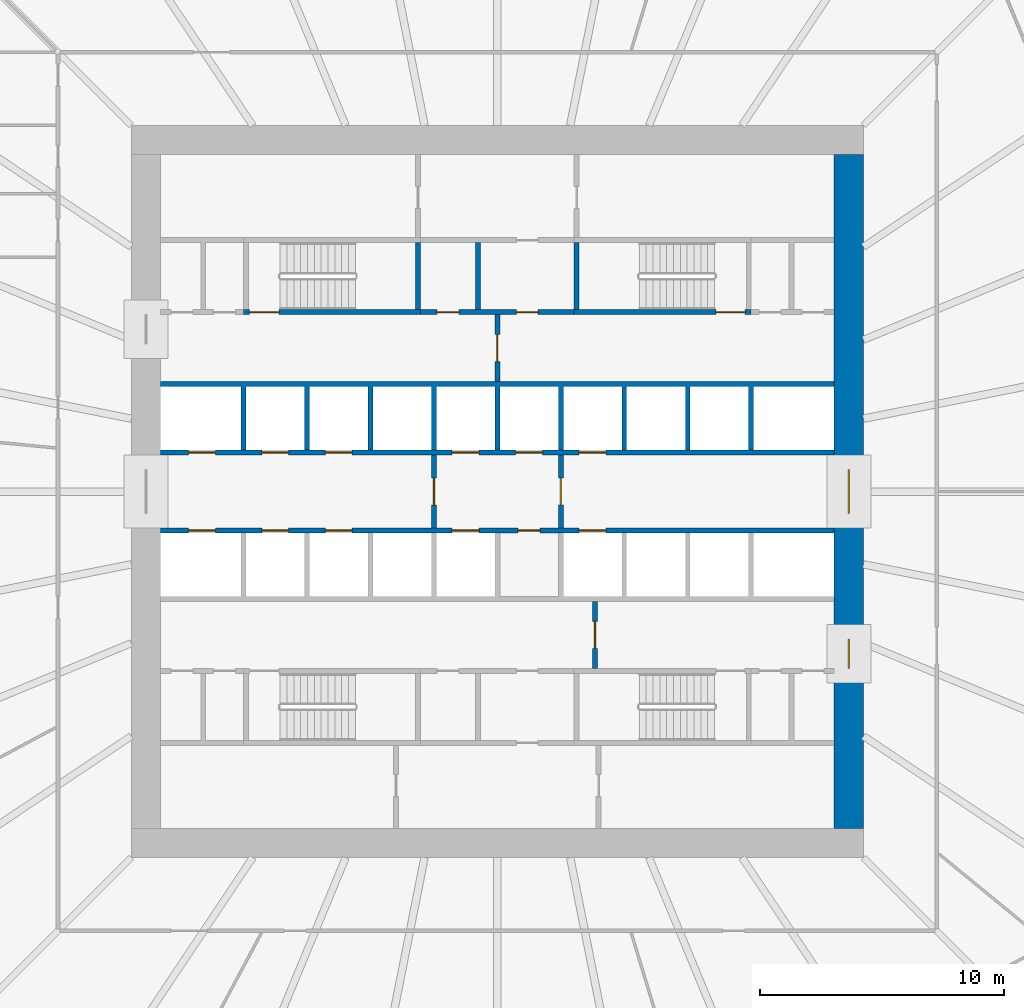
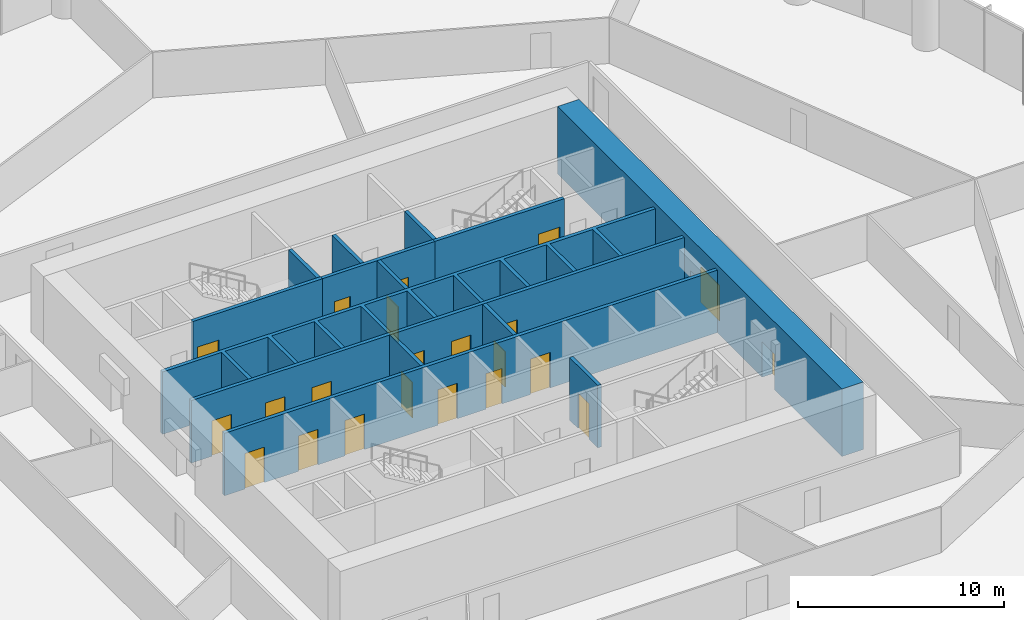
# One storey, part 11 of 15: 22 doors, 14 walls, 22 openings.
"""IFC4 building model written with IfcOpenShell, lengths in metres."""

from ifc_helpers import new_model, si_unit, direction, frame, frame_2d, origin, place, context, subcontext, project, spatial, polyline, rectangle, outline, extrude, material, layer, layer_set, type_object, element, fill, save


model = new_model("IFC4")

# Units and contexts
model_context = context("Model", 3, precision=1e-05, world=origin(), true_north=direction((0.0, 1.0)))
body_context = subcontext(model_context, "Body", "Model", "MODEL_VIEW")
ifc_project = project(units=[si_unit("LENGTHUNIT", "METRE"), si_unit("AREAUNIT", "SQUARE_METRE"), si_unit("VOLUMEUNIT", "CUBIC_METRE"), si_unit("PLANEANGLEUNIT", "RADIAN"), si_unit("MASSUNIT", "GRAM", prefix="KILO")], contexts=[model_context])

# Site, building, storey
site_placement = place(None, origin())
site = spatial("IfcSite", under=ifc_project, at=site_placement, CompositionType="ELEMENT")
building_placement = place(site_placement, origin())
building = spatial("IfcBuilding", under=site, at=building_placement, Name="Corvane Civic Tower", CompositionType="ELEMENT")
storey_placement = place(building_placement, frame((0.0, 0.0, 65.0)))
storey = spatial("IfcBuildingStorey", under=building, at=storey_placement, Name="L14", CompositionType="ELEMENT", Elevation=65.0)

# Wall, openings, doors
ifc_material_1 = material(Name="Concrete C80/95", Category="concrete")
ifc_layer_1 = layer(ifc_material_1, 1.199951171875)
ifc_layer_set_1 = layer_set([ifc_layer_1], Name="Concrete C80/95")
wall_type_1 = type_object("IfcWallType", Name="CORE WALL 1200 C80/95", PredefinedType="SHEAR", material=ifc_layer_set_1)
wall_1_placement = place(storey_placement, frame((14.39990234375, -13.800048828125, 0.0), z_axis=(0.0, 0.0, 1.0), x_axis=(0.0, 1.0, 0.0)))
wall_1 = element("IfcWall", 1, at=wall_1_placement, inside=storey, type_object=wall_type_1, Name="W-L14-core-E", PredefinedType="SHEAR", context=body_context, shape_type="SweptSolid", body=[
    extrude(rectangle(XDim=27.60009765625, YDim=1.199951171875, at=frame_2d((13.800048828125, 0.0))), origin(), (0.0, 0.0, 1.0), 4.0),
])
opening_1_placement = place(wall_1_placement, frame((12.89990234375, 0.0, 0.0)))
opening_1 = element("IfcOpeningElement", 2, at=opening_1_placement, cuts=wall_1, Name="Opening L14.C29", PredefinedType="OPENING", context=body_context, shape_type="SweptSolid", body=[
    extrude(rectangle(XDim=1.800048828125, YDim=2.10009765625, at=frame_2d((0.89990234375, 1.050048828125))), frame((0.0, 0.60986328125, 0.0), z_axis=(0.0, -1.0, 0.0), x_axis=(1.0, 0.0, 0.0)), (0.0, 0.0, 1.0), 1.219970703125),
])
opening_2_placement = place(wall_1_placement, frame((6.550048828125, 0.0, 0.0)))
opening_2 = element("IfcOpeningElement", 3, at=opening_2_placement, cuts=wall_1, Name="Opening L14.C31", PredefinedType="OPENING", context=body_context, shape_type="SweptSolid", body=[
    extrude(rectangle(XDim=1.199951171875, YDim=2.10009765625, at=frame_2d((0.60009765625, 1.050048828125))), frame((0.0, 0.60986328125, 0.0), z_axis=(0.0, -1.0, 0.0), x_axis=(1.0, 0.0, 0.0)), (0.0, 0.0, 1.0), 1.219970703125),
])
ifc_material_2 = material(Name="Steel fire door leaf", Category="steel")
door_type_1 = type_object("IfcDoorType", Name="CR-DOOR-CORE-1800", OperationType="DOUBLE_DOOR_SINGLE_SWING", PredefinedType="DOOR", material=ifc_material_2)
door_1_placement = place(opening_1_placement, origin())
door_1 = element("IfcDoor", 4, at=door_1_placement, inside=storey, type_object=door_type_1, Name="L14 door", OperationType="DOUBLE_DOOR_SINGLE_SWING", OverallHeight=2.10009765625, OverallWidth=1.800048828125, PredefinedType="DOOR", context=body_context, shape_type="SweptSolid", body=[
    extrude(rectangle(XDim=1.800048828125, YDim=2.10009765625, at=frame_2d((0.89990234375, 1.050048828125))), frame((0.0, 0.02490234375, 0.0), z_axis=(0.0, -1.0, 0.0), x_axis=(1.0, 0.0, 0.0)), (0.0, 0.0, 1.0), 0.050048828125),
])
fill(opening_1, door_1)
door_2_placement = place(opening_2_placement, origin())
door_2 = element("IfcDoor", 5, at=door_2_placement, inside=storey, type_object=door_type_1, Name="L14 door", OperationType="DOUBLE_DOOR_SINGLE_SWING", OverallHeight=2.10009765625, OverallWidth=1.199951171875, PredefinedType="DOOR", context=body_context, shape_type="SweptSolid", body=[
    extrude(rectangle(XDim=1.199951171875, YDim=2.10009765625, at=frame_2d((0.60009765625, 1.050048828125))), frame((0.0, 0.02490234375, 0.0), z_axis=(0.0, -1.0, 0.0), x_axis=(1.0, 0.0, 0.0)), (0.0, 0.0, 1.0), 0.050048828125),
])
fill(opening_2, door_2)

ifc_material_3 = material(Name="Concrete C30/37", Category="concrete")
ifc_layer_2 = layer(ifc_material_3, 0.199951171875)
ifc_layer_set_2 = layer_set([ifc_layer_2], Name="Concrete C30/37")
wall_type_2 = type_object("IfcWallType", Name="CR-WALL-200", PredefinedType="PARTITIONING", material=ifc_layer_set_2)
wall_2_placement = place(storey_placement, frame((-13.800048828125, -1.60009765625, 0.0), z_axis=(0.0, 0.0, 1.0), x_axis=(1.0, 0.0, 0.0)))
wall_2 = element("IfcWall", 6, at=wall_2_placement, inside=storey, type_object=wall_type_2, Name="L14 lift shaft wall", PredefinedType="PARTITIONING", context=body_context, shape_type="SweptSolid", body=[
    extrude(rectangle(XDim=27.60009765625, YDim=0.199951171875, at=frame_2d((13.800048828125, 0.0))), origin(), (0.0, 0.0, 1.0), 3.699951171875),
])
opening_3_placement = place(wall_2_placement, frame((1.14990234375, 0.0, 0.0)))
opening_3 = element("IfcOpeningElement", 7, at=opening_3_placement, cuts=wall_2, Name="Opening LD", PredefinedType="OPENING", context=body_context, shape_type="SweptSolid", body=[
    extrude(rectangle(XDim=1.10009765625, YDim=2.10009765625, at=frame_2d((0.550048828125, 1.050048828125))), frame((0.0, 0.10986328125, 0.0), z_axis=(0.0, -1.0, 0.0), x_axis=(1.0, 0.0, 0.0)), (0.0, 0.0, 1.0), 0.219970703125),
])
opening_4_placement = place(wall_2_placement, frame((4.14990234375, 0.0, 0.0)))
opening_4 = element("IfcOpeningElement", 8, at=opening_4_placement, cuts=wall_2, Name="Opening LD", PredefinedType="OPENING", context=body_context, shape_type="SweptSolid", body=[
    extrude(rectangle(XDim=1.10009765625, YDim=2.10009765625, at=frame_2d((0.550048828125, 1.050048828125))), frame((0.0, 0.10986328125, 0.0), z_axis=(0.0, -1.0, 0.0), x_axis=(1.0, 0.0, 0.0)), (0.0, 0.0, 1.0), 0.219970703125),
])
opening_5_placement = place(wall_2_placement, frame((6.75, 0.0, 0.0)))
opening_5 = element("IfcOpeningElement", 9, at=opening_5_placement, cuts=wall_2, Name="Opening LD", PredefinedType="OPENING", context=body_context, shape_type="SweptSolid", body=[
    extrude(rectangle(XDim=1.10009765625, YDim=2.10009765625, at=frame_2d((0.550048828125, 1.050048828125))), frame((0.0, 0.10986328125, 0.0), z_axis=(0.0, -1.0, 0.0), x_axis=(1.0, 0.0, 0.0)), (0.0, 0.0, 1.0), 0.219970703125),
])
opening_6_placement = place(wall_2_placement, frame((11.949951171875, 0.0, 0.0)))
opening_6 = element("IfcOpeningElement", 10, at=opening_6_placement, cuts=wall_2, Name="Opening LD", PredefinedType="OPENING", context=body_context, shape_type="SweptSolid", body=[
    extrude(rectangle(XDim=1.10009765625, YDim=2.10009765625, at=frame_2d((0.550048828125, 1.050048828125))), frame((0.0, 0.10986328125, 0.0), z_axis=(0.0, -1.0, 0.0), x_axis=(1.0, 0.0, 0.0)), (0.0, 0.0, 1.0), 0.219970703125),
])
opening_7_placement = place(wall_2_placement, frame((14.64990234375, 0.0, 0.0)))
opening_7 = element("IfcOpeningElement", 11, at=opening_7_placement, cuts=wall_2, Name="Opening L14.C01", PredefinedType="OPENING", context=body_context, shape_type="SweptSolid", body=[
    extrude(rectangle(XDim=0.89990234375, YDim=2.10009765625, at=frame_2d((0.449951171875, 1.050048828125))), frame((0.0, 0.10986328125, 0.0), z_axis=(0.0, -1.0, 0.0), x_axis=(1.0, 0.0, 0.0)), (0.0, 0.0, 1.0), 0.219970703125),
])
opening_8_placement = place(wall_2_placement, frame((17.14990234375, 0.0, 0.0)))
opening_8 = element("IfcOpeningElement", 12, at=opening_8_placement, cuts=wall_2, Name="Opening LD", PredefinedType="OPENING", context=body_context, shape_type="SweptSolid", body=[
    extrude(rectangle(XDim=1.10009765625, YDim=2.10009765625, at=frame_2d((0.550048828125, 1.050048828125))), frame((0.0, 0.10986328125, 0.0), z_axis=(0.0, -1.0, 0.0), x_axis=(1.0, 0.0, 0.0)), (0.0, 0.0, 1.0), 0.219970703125),
])
ifc_material_4 = material(Name="Steel fire door leaf", Category="steel")
door_type_2 = type_object("IfcDoorType", Name="CR-DOOR-900", OperationType="SINGLE_SWING_LEFT", PredefinedType="DOOR", material=ifc_material_4)
door_3_placement = place(opening_7_placement, origin())
door_3 = element("IfcDoor", 13, at=door_3_placement, inside=storey, type_object=door_type_2, Name="L14 door", OperationType="SINGLE_SWING_LEFT", OverallHeight=2.10009765625, OverallWidth=0.89990234375, PredefinedType="DOOR", context=body_context, shape_type="SweptSolid", body=[
    extrude(rectangle(XDim=0.89990234375, YDim=2.10009765625, at=frame_2d((0.449951171875, 1.050048828125))), frame((0.0, 0.02490234375, 0.0), z_axis=(0.0, -1.0, 0.0), x_axis=(1.0, 0.0, 0.0)), (0.0, 0.0, 1.0), 0.050048828125),
])
fill(opening_7, door_3)
ifc_material_5 = material(Name="Stainless steel 316 door leaves", Category="steel")
door_type_3 = type_object("IfcDoorType", Name="LD", OperationType="DOUBLE_DOOR_SLIDING", PredefinedType="DOOR", material=ifc_material_5)
door_4_placement = place(opening_3_placement, origin())
door_4 = element("IfcDoor", 14, at=door_4_placement, inside=storey, type_object=door_type_3, Name="L14 landing door", OperationType="DOUBLE_DOOR_SLIDING", OverallHeight=2.10009765625, OverallWidth=1.10009765625, PredefinedType="DOOR", context=body_context, shape_type="SweptSolid", body=[
    extrude(rectangle(XDim=1.10009765625, YDim=2.10009765625, at=frame_2d((0.550048828125, 1.050048828125))), frame((0.0, 0.02490234375, 0.0), z_axis=(0.0, -1.0, 0.0), x_axis=(1.0, 0.0, 0.0)), (0.0, 0.0, 1.0), 0.050048828125),
])
fill(opening_3, door_4)
door_5_placement = place(opening_4_placement, origin())
door_5 = element("IfcDoor", 15, at=door_5_placement, inside=storey, type_object=door_type_3, Name="L14 landing door", OperationType="DOUBLE_DOOR_SLIDING", OverallHeight=2.10009765625, OverallWidth=1.10009765625, PredefinedType="DOOR", context=body_context, shape_type="SweptSolid", body=[
    extrude(rectangle(XDim=1.10009765625, YDim=2.10009765625, at=frame_2d((0.550048828125, 1.050048828125))), frame((0.0, 0.02490234375, 0.0), z_axis=(0.0, -1.0, 0.0), x_axis=(1.0, 0.0, 0.0)), (0.0, 0.0, 1.0), 0.050048828125),
])
fill(opening_4, door_5)
door_6_placement = place(opening_5_placement, origin())
door_6 = element("IfcDoor", 16, at=door_6_placement, inside=storey, type_object=door_type_3, Name="L14 landing door", OperationType="DOUBLE_DOOR_SLIDING", OverallHeight=2.10009765625, OverallWidth=1.10009765625, PredefinedType="DOOR", context=body_context, shape_type="SweptSolid", body=[
    extrude(rectangle(XDim=1.10009765625, YDim=2.10009765625, at=frame_2d((0.550048828125, 1.050048828125))), frame((0.0, 0.02490234375, 0.0), z_axis=(0.0, -1.0, 0.0), x_axis=(1.0, 0.0, 0.0)), (0.0, 0.0, 1.0), 0.050048828125),
])
fill(opening_5, door_6)
door_7_placement = place(opening_6_placement, origin())
door_7 = element("IfcDoor", 17, at=door_7_placement, inside=storey, type_object=door_type_3, Name="L14 landing door", OperationType="DOUBLE_DOOR_SLIDING", OverallHeight=2.10009765625, OverallWidth=1.10009765625, PredefinedType="DOOR", context=body_context, shape_type="SweptSolid", body=[
    extrude(rectangle(XDim=1.10009765625, YDim=2.10009765625, at=frame_2d((0.550048828125, 1.050048828125))), frame((0.0, 0.02490234375, 0.0), z_axis=(0.0, -1.0, 0.0), x_axis=(1.0, 0.0, 0.0)), (0.0, 0.0, 1.0), 0.050048828125),
])
fill(opening_6, door_7)
door_8_placement = place(opening_8_placement, origin())
door_8 = element("IfcDoor", 18, at=door_8_placement, inside=storey, type_object=door_type_3, Name="L14 landing door", OperationType="DOUBLE_DOOR_SLIDING", OverallHeight=2.10009765625, OverallWidth=1.10009765625, PredefinedType="DOOR", context=body_context, shape_type="SweptSolid", body=[
    extrude(rectangle(XDim=1.10009765625, YDim=2.10009765625, at=frame_2d((0.550048828125, 1.050048828125))), frame((0.0, 0.02490234375, 0.0), z_axis=(0.0, -1.0, 0.0), x_axis=(1.0, 0.0, 0.0)), (0.0, 0.0, 1.0), 0.050048828125),
])
fill(opening_8, door_8)

wall_3_placement = place(storey_placement, frame((-13.800048828125, 1.60009765625, 0.0), z_axis=(0.0, 0.0, 1.0), x_axis=(1.0, 0.0, 0.0)))
wall_3 = element("IfcWall", 19, at=wall_3_placement, inside=storey, type_object=wall_type_2, Name="L14 lift shaft wall", PredefinedType="PARTITIONING", context=body_context, shape_type="SweptSolid", body=[
    extrude(rectangle(XDim=27.60009765625, YDim=0.199951171875, at=frame_2d((13.800048828125, 0.0))), origin(), (0.0, 0.0, 1.0), 3.699951171875),
])
opening_9_placement = place(wall_3_placement, frame((1.14990234375, 0.0, 0.0)))
opening_9 = element("IfcOpeningElement", 20, at=opening_9_placement, cuts=wall_3, Name="Opening LD", PredefinedType="OPENING", context=body_context, shape_type="SweptSolid", body=[
    extrude(rectangle(XDim=1.10009765625, YDim=2.10009765625, at=frame_2d((0.550048828125, 1.050048828125))), frame((0.0, 0.10986328125, 0.0), z_axis=(0.0, -1.0, 0.0), x_axis=(1.0, 0.0, 0.0)), (0.0, 0.0, 1.0), 0.219970703125),
])
opening_10_placement = place(wall_3_placement, frame((4.14990234375, 0.0, 0.0)))
opening_10 = element("IfcOpeningElement", 21, at=opening_10_placement, cuts=wall_3, Name="Opening LD", PredefinedType="OPENING", context=body_context, shape_type="SweptSolid", body=[
    extrude(rectangle(XDim=1.10009765625, YDim=2.10009765625, at=frame_2d((0.550048828125, 1.050048828125))), frame((0.0, 0.10986328125, 0.0), z_axis=(0.0, -1.0, 0.0), x_axis=(1.0, 0.0, 0.0)), (0.0, 0.0, 1.0), 0.219970703125),
])
opening_11_placement = place(wall_3_placement, frame((6.75, 0.0, 0.0)))
opening_11 = element("IfcOpeningElement", 22, at=opening_11_placement, cuts=wall_3, Name="Opening LD", PredefinedType="OPENING", context=body_context, shape_type="SweptSolid", body=[
    extrude(rectangle(XDim=1.10009765625, YDim=2.10009765625, at=frame_2d((0.550048828125, 1.050048828125))), frame((0.0, 0.10986328125, 0.0), z_axis=(0.0, -1.0, 0.0), x_axis=(1.0, 0.0, 0.0)), (0.0, 0.0, 1.0), 0.219970703125),
])
opening_12_placement = place(wall_3_placement, frame((11.949951171875, 0.0, 0.0)))
opening_12 = element("IfcOpeningElement", 23, at=opening_12_placement, cuts=wall_3, Name="Opening LD", PredefinedType="OPENING", context=body_context, shape_type="SweptSolid", body=[
    extrude(rectangle(XDim=1.10009765625, YDim=2.10009765625, at=frame_2d((0.550048828125, 1.050048828125))), frame((0.0, 0.10986328125, 0.0), z_axis=(0.0, -1.0, 0.0), x_axis=(1.0, 0.0, 0.0)), (0.0, 0.0, 1.0), 0.219970703125),
])
opening_13_placement = place(wall_3_placement, frame((14.550048828125, 0.0, 0.0)))
opening_13 = element("IfcOpeningElement", 24, at=opening_13_placement, cuts=wall_3, Name="Opening LD", PredefinedType="OPENING", context=body_context, shape_type="SweptSolid", body=[
    extrude(rectangle(XDim=1.10009765625, YDim=2.10009765625, at=frame_2d((0.550048828125, 1.050048828125))), frame((0.0, 0.10986328125, 0.0), z_axis=(0.0, -1.0, 0.0), x_axis=(1.0, 0.0, 0.0)), (0.0, 0.0, 1.0), 0.219970703125),
])
opening_14_placement = place(wall_3_placement, frame((17.14990234375, 0.0, 0.0)))
opening_14 = element("IfcOpeningElement", 25, at=opening_14_placement, cuts=wall_3, Name="Opening LD", PredefinedType="OPENING", context=body_context, shape_type="SweptSolid", body=[
    extrude(rectangle(XDim=1.10009765625, YDim=2.10009765625, at=frame_2d((0.550048828125, 1.050048828125))), frame((0.0, 0.10986328125, 0.0), z_axis=(0.0, -1.0, 0.0), x_axis=(1.0, 0.0, 0.0)), (0.0, 0.0, 1.0), 0.219970703125),
])
door_9_placement = place(opening_9_placement, origin())
door_9 = element("IfcDoor", 26, at=door_9_placement, inside=storey, type_object=door_type_3, Name="L14 landing door", OperationType="DOUBLE_DOOR_SLIDING", OverallHeight=2.10009765625, OverallWidth=1.10009765625, PredefinedType="DOOR", context=body_context, shape_type="SweptSolid", body=[
    extrude(rectangle(XDim=1.10009765625, YDim=2.10009765625, at=frame_2d((0.550048828125, 1.050048828125))), frame((0.0, 0.02490234375, 0.0), z_axis=(0.0, -1.0, 0.0), x_axis=(1.0, 0.0, 0.0)), (0.0, 0.0, 1.0), 0.050048828125),
])
fill(opening_9, door_9)
door_10_placement = place(opening_10_placement, origin())
door_10 = element("IfcDoor", 27, at=door_10_placement, inside=storey, type_object=door_type_3, Name="L14 landing door", OperationType="DOUBLE_DOOR_SLIDING", OverallHeight=2.10009765625, OverallWidth=1.10009765625, PredefinedType="DOOR", context=body_context, shape_type="SweptSolid", body=[
    extrude(rectangle(XDim=1.10009765625, YDim=2.10009765625, at=frame_2d((0.550048828125, 1.050048828125))), frame((0.0, 0.02490234375, 0.0), z_axis=(0.0, -1.0, 0.0), x_axis=(1.0, 0.0, 0.0)), (0.0, 0.0, 1.0), 0.050048828125),
])
fill(opening_10, door_10)
door_11_placement = place(opening_11_placement, origin())
door_11 = element("IfcDoor", 28, at=door_11_placement, inside=storey, type_object=door_type_3, Name="L14 landing door", OperationType="DOUBLE_DOOR_SLIDING", OverallHeight=2.10009765625, OverallWidth=1.10009765625, PredefinedType="DOOR", context=body_context, shape_type="SweptSolid", body=[
    extrude(rectangle(XDim=1.10009765625, YDim=2.10009765625, at=frame_2d((0.550048828125, 1.050048828125))), frame((0.0, 0.02490234375, 0.0), z_axis=(0.0, -1.0, 0.0), x_axis=(1.0, 0.0, 0.0)), (0.0, 0.0, 1.0), 0.050048828125),
])
fill(opening_11, door_11)
door_12_placement = place(opening_12_placement, origin())
door_12 = element("IfcDoor", 29, at=door_12_placement, inside=storey, type_object=door_type_3, Name="L14 landing door", OperationType="DOUBLE_DOOR_SLIDING", OverallHeight=2.10009765625, OverallWidth=1.10009765625, PredefinedType="DOOR", context=body_context, shape_type="SweptSolid", body=[
    extrude(rectangle(XDim=1.10009765625, YDim=2.10009765625, at=frame_2d((0.550048828125, 1.050048828125))), frame((0.0, 0.02490234375, 0.0), z_axis=(0.0, -1.0, 0.0), x_axis=(1.0, 0.0, 0.0)), (0.0, 0.0, 1.0), 0.050048828125),
])
fill(opening_12, door_12)
door_13_placement = place(opening_13_placement, origin())
door_13 = element("IfcDoor", 30, at=door_13_placement, inside=storey, type_object=door_type_3, Name="L14 landing door", OperationType="DOUBLE_DOOR_SLIDING", OverallHeight=2.10009765625, OverallWidth=1.10009765625, PredefinedType="DOOR", context=body_context, shape_type="SweptSolid", body=[
    extrude(rectangle(XDim=1.10009765625, YDim=2.10009765625, at=frame_2d((0.550048828125, 1.050048828125))), frame((0.0, 0.02490234375, 0.0), z_axis=(0.0, -1.0, 0.0), x_axis=(1.0, 0.0, 0.0)), (0.0, 0.0, 1.0), 0.050048828125),
])
fill(opening_13, door_13)
door_14_placement = place(opening_14_placement, origin())
door_14 = element("IfcDoor", 31, at=door_14_placement, inside=storey, type_object=door_type_3, Name="L14 landing door", OperationType="DOUBLE_DOOR_SLIDING", OverallHeight=2.10009765625, OverallWidth=1.10009765625, PredefinedType="DOOR", context=body_context, shape_type="SweptSolid", body=[
    extrude(rectangle(XDim=1.10009765625, YDim=2.10009765625, at=frame_2d((0.550048828125, 1.050048828125))), frame((0.0, 0.02490234375, 0.0), z_axis=(0.0, -1.0, 0.0), x_axis=(1.0, 0.0, 0.0)), (0.0, 0.0, 1.0), 0.050048828125),
])
fill(opening_14, door_14)

wall_4_placement = place(storey_placement, frame((-3.14990234375, 7.35009765625, 0.0), z_axis=(0.0, 0.0, 1.0), x_axis=(1.0, 0.0, 0.0)))
wall_4 = element("IfcWall", 32, at=wall_4_placement, inside=storey, type_object=wall_type_2, Name="L14 partition wall", PredefinedType="PARTITIONING", context=body_context, shape_type="SweptSolid", body=[
    extrude(rectangle(XDim=6.2998046875, YDim=0.199951171875, at=frame_2d((3.14990234375, 0.0))), origin(), (0.0, 0.0, 1.0), 3.699951171875),
])
opening_15_placement = place(wall_4_placement, frame((0.675048828125, 0.0, 0.0)))
opening_15 = element("IfcOpeningElement", 33, at=opening_15_placement, cuts=wall_4, Name="Opening L14.C02", PredefinedType="OPENING", context=body_context, shape_type="SweptSolid", body=[
    extrude(rectangle(XDim=0.89990234375, YDim=2.10009765625, at=frame_2d((0.449951171875, 1.050048828125))), frame((0.0, 0.10986328125, 0.0), z_axis=(0.0, -1.0, 0.0), x_axis=(1.0, 0.0, 0.0)), (0.0, 0.0, 1.0), 0.219970703125),
])
opening_16_placement = place(wall_4_placement, frame((3.925048828125, 0.0, 0.0)))
opening_16 = element("IfcOpeningElement", 34, at=opening_16_placement, cuts=wall_4, Name="Opening L14.C03", PredefinedType="OPENING", context=body_context, shape_type="SweptSolid", body=[
    extrude(rectangle(XDim=0.89990234375, YDim=2.10009765625, at=frame_2d((0.449951171875, 1.050048828125))), frame((0.0, 0.10986328125, 0.0), z_axis=(0.0, -1.0, 0.0), x_axis=(1.0, 0.0, 0.0)), (0.0, 0.0, 1.0), 0.219970703125),
])
door_15_placement = place(opening_15_placement, origin())
door_15 = element("IfcDoor", 35, at=door_15_placement, inside=storey, type_object=door_type_2, Name="L14 door", OperationType="SINGLE_SWING_LEFT", OverallHeight=2.10009765625, OverallWidth=0.89990234375, PredefinedType="DOOR", context=body_context, shape_type="SweptSolid", body=[
    extrude(rectangle(XDim=0.89990234375, YDim=2.10009765625, at=frame_2d((0.449951171875, 1.050048828125))), frame((0.0, 0.02490234375, 0.0), z_axis=(0.0, -1.0, 0.0), x_axis=(1.0, 0.0, 0.0)), (0.0, 0.0, 1.0), 0.050048828125),
])
fill(opening_15, door_15)
door_16_placement = place(opening_16_placement, origin())
door_16 = element("IfcDoor", 36, at=door_16_placement, inside=storey, type_object=door_type_2, Name="L14 door", OperationType="SINGLE_SWING_LEFT", OverallHeight=2.10009765625, OverallWidth=0.89990234375, PredefinedType="DOOR", context=body_context, shape_type="SweptSolid", body=[
    extrude(rectangle(XDim=0.89990234375, YDim=2.10009765625, at=frame_2d((0.449951171875, 1.050048828125))), frame((0.0, 0.02490234375, 0.0), z_axis=(0.0, -1.0, 0.0), x_axis=(1.0, 0.0, 0.0)), (0.0, 0.0, 1.0), 0.050048828125),
])
fill(opening_16, door_16)

# Wall, opening, door
wall_5_placement = place(storey_placement, frame((-2.60009765625, -1.5, 0.0), z_axis=(0.0, 0.0, 1.0), x_axis=(0.0, 1.0, 0.0)))
wall_5 = element("IfcWall", 37, at=wall_5_placement, inside=storey, type_object=wall_type_2, Name="L14 firefighting lobby wall", PredefinedType="PARTITIONING", context=body_context, shape_type="SweptSolid", body=[
    extrude(rectangle(XDim=3.0, YDim=0.199951171875, at=frame_2d((1.5, 0.0))), origin(), (0.0, 0.0, 1.0), 3.699951171875),
])
opening_17_placement = place(wall_5_placement, frame((0.949951171875, 0.0, 0.0)))
opening_17 = element("IfcOpeningElement", 38, at=opening_17_placement, cuts=wall_5, Name="Opening L14.C24", PredefinedType="OPENING", context=body_context, shape_type="SweptSolid", body=[
    extrude(rectangle(XDim=1.10009765625, YDim=2.10009765625, at=frame_2d((0.550048828125, 1.050048828125))), frame((0.0, 0.10986328125, 0.0), z_axis=(0.0, -1.0, 0.0), x_axis=(1.0, 0.0, 0.0)), (0.0, 0.0, 1.0), 0.219970703125),
])
ifc_material_6 = material(Name="Steel fire door leaf", Category="steel")
door_type_4 = type_object("IfcDoorType", Name="CR-DOOR-FFL-1100", OperationType="SINGLE_SWING_LEFT", PredefinedType="DOOR", material=ifc_material_6)
door_17_placement = place(opening_17_placement, origin())
door_17 = element("IfcDoor", 39, at=door_17_placement, inside=storey, type_object=door_type_4, Name="L14 lobby door", OperationType="SINGLE_SWING_LEFT", OverallHeight=2.10009765625, OverallWidth=1.10009765625, PredefinedType="DOOR", context=body_context, shape_type="SweptSolid", body=[
    extrude(rectangle(XDim=1.10009765625, YDim=2.10009765625, at=frame_2d((0.550048828125, 1.050048828125))), frame((0.0, 0.02490234375, 0.0), z_axis=(0.0, -1.0, 0.0), x_axis=(1.0, 0.0, 0.0)), (0.0, 0.0, 1.0), 0.050048828125),
])
fill(opening_17, door_17)

wall_6_placement = place(storey_placement, frame((0.0, 4.5, 0.0), z_axis=(0.0, 0.0, 1.0), x_axis=(0.0, 1.0, 0.0)))
wall_6 = element("IfcWall", 40, at=wall_6_placement, inside=storey, type_object=wall_type_2, Name="L14 core partition wall", PredefinedType="PARTITIONING", context=body_context, shape_type="SweptSolid", body=[
    extrude(rectangle(XDim=2.75, YDim=0.199951171875, at=frame_2d((1.375, 0.0))), origin(), (0.0, 0.0, 1.0), 3.699951171875),
])
opening_18_placement = place(wall_6_placement, frame((0.824951171875, 0.0, 0.0)))
opening_18 = element("IfcOpeningElement", 41, at=opening_18_placement, cuts=wall_6, Name="Opening L14.C26", PredefinedType="OPENING", context=body_context, shape_type="SweptSolid", body=[
    extrude(rectangle(XDim=1.10009765625, YDim=2.10009765625, at=frame_2d((0.550048828125, 1.050048828125))), frame((0.0, 0.10986328125, 0.0), z_axis=(0.0, -1.0, 0.0), x_axis=(1.0, 0.0, 0.0)), (0.0, 0.0, 1.0), 0.219970703125),
])
door_18_placement = place(opening_18_placement, origin())
door_18 = element("IfcDoor", 42, at=door_18_placement, inside=storey, type_object=door_type_4, Name="L14 lobby door", OperationType="SINGLE_SWING_LEFT", OverallHeight=2.10009765625, OverallWidth=1.10009765625, PredefinedType="DOOR", context=body_context, shape_type="SweptSolid", body=[
    extrude(rectangle(XDim=1.10009765625, YDim=2.10009765625, at=frame_2d((0.550048828125, 1.050048828125))), frame((0.0, 0.02490234375, 0.0), z_axis=(0.0, -1.0, 0.0), x_axis=(1.0, 0.0, 0.0)), (0.0, 0.0, 1.0), 0.050048828125),
])
fill(opening_18, door_18)

wall_7_placement = place(storey_placement, frame((2.60009765625, -1.5, 0.0), z_axis=(0.0, 0.0, 1.0), x_axis=(0.0, 1.0, 0.0)))
wall_7 = element("IfcWall", 43, at=wall_7_placement, inside=storey, type_object=wall_type_2, Name="L14 firefighting lobby wall", PredefinedType="PARTITIONING", context=body_context, shape_type="SweptSolid", body=[
    extrude(rectangle(XDim=3.0, YDim=0.199951171875, at=frame_2d((1.5, 0.0))), origin(), (0.0, 0.0, 1.0), 3.699951171875),
])
opening_19_placement = place(wall_7_placement, frame((0.949951171875, 0.0, 0.0)))
opening_19 = element("IfcOpeningElement", 44, at=opening_19_placement, cuts=wall_7, Name="Opening L14.C25", PredefinedType="OPENING", context=body_context, shape_type="SweptSolid", body=[
    extrude(rectangle(XDim=1.10009765625, YDim=2.10009765625, at=frame_2d((0.550048828125, 1.050048828125))), frame((0.0, 0.10986328125, 0.0), z_axis=(0.0, -1.0, 0.0), x_axis=(1.0, 0.0, 0.0)), (0.0, 0.0, 1.0), 0.219970703125),
])
door_19_placement = place(opening_19_placement, origin())
door_19 = element("IfcDoor", 45, at=door_19_placement, inside=storey, type_object=door_type_4, Name="L14 lobby door", OperationType="SINGLE_SWING_LEFT", OverallHeight=2.10009765625, OverallWidth=1.10009765625, PredefinedType="DOOR", context=body_context, shape_type="SweptSolid", body=[
    extrude(rectangle(XDim=1.10009765625, YDim=2.10009765625, at=frame_2d((0.550048828125, 1.050048828125))), frame((0.0, 0.02490234375, 0.0), z_axis=(0.0, -1.0, 0.0), x_axis=(1.0, 0.0, 0.0)), (0.0, 0.0, 1.0), 0.050048828125),
])
fill(opening_19, door_19)

wall_8_placement = place(storey_placement, frame((4.0, -7.25, 0.0), z_axis=(0.0, 0.0, 1.0), x_axis=(0.0, 1.0, 0.0)))
wall_8 = element("IfcWall", 46, at=wall_8_placement, inside=storey, type_object=wall_type_2, Name="L14 core partition wall", PredefinedType="PARTITIONING", context=body_context, shape_type="SweptSolid", body=[
    extrude(rectangle(XDim=2.75, YDim=0.199951171875, at=frame_2d((1.375, 0.0))), origin(), (0.0, 0.0, 1.0), 3.699951171875),
])
opening_20_placement = place(wall_8_placement, frame((0.824951171875, 0.0, 0.0)))
opening_20 = element("IfcOpeningElement", 47, at=opening_20_placement, cuts=wall_8, Name="Opening L14.C27", PredefinedType="OPENING", context=body_context, shape_type="SweptSolid", body=[
    extrude(rectangle(XDim=1.10009765625, YDim=2.10009765625, at=frame_2d((0.550048828125, 1.050048828125))), frame((0.0, 0.10986328125, 0.0), z_axis=(0.0, -1.0, 0.0), x_axis=(1.0, 0.0, 0.0)), (0.0, 0.0, 1.0), 0.219970703125),
])
door_20_placement = place(opening_20_placement, origin())
door_20 = element("IfcDoor", 48, at=door_20_placement, inside=storey, type_object=door_type_4, Name="L14 lobby door", OperationType="SINGLE_SWING_LEFT", OverallHeight=2.10009765625, OverallWidth=1.10009765625, PredefinedType="DOOR", context=body_context, shape_type="SweptSolid", body=[
    extrude(rectangle(XDim=1.10009765625, YDim=2.10009765625, at=frame_2d((0.550048828125, 1.050048828125))), frame((0.0, 0.02490234375, 0.0), z_axis=(0.0, -1.0, 0.0), x_axis=(1.0, 0.0, 0.0)), (0.0, 0.0, 1.0), 0.050048828125),
])
fill(opening_20, door_20)

# Walls
wall_9_placement = place(storey_placement, origin())
element("IfcWall", 49, at=wall_9_placement, inside=storey, type_object=wall_type_2, Name="L14 core partition wall", PredefinedType="PARTITIONING", context=body_context, shape_type="SweptSolid", body=[
    extrude(outline(polyline([(-0.699951171875, 7.449951171875), (-0.89990234375, 7.449951171875), (-0.89990234375, 10.199951171875), (-0.699951171875, 10.199951171875), (-0.699951171875, 7.449951171875)])), origin(), (0.0, 0.0, 1.0), 3.699951171875),
])
wall_10_placement = place(storey_placement, origin())
element("IfcWall", 50, at=wall_10_placement, inside=storey, type_object=wall_type_2, Name="L14 core partition wall", PredefinedType="PARTITIONING", context=body_context, shape_type="SweptSolid", body=[
    extrude(outline(polyline([(-10.300048828125, 1.699951171875), (-10.5, 1.699951171875), (-10.5, 4.300048828125), (-13.800048828125, 4.300048828125), (-13.800048828125, 4.5), (13.800048828125, 4.5), (13.800048828125, 4.300048828125), (10.5, 4.300048828125), (10.5, 1.699951171875), (10.300048828125, 1.699951171875), (10.300048828125, 4.300048828125), (7.89990234375, 4.300048828125), (7.89990234375, 1.699951171875), (7.699951171875, 1.699951171875), (7.699951171875, 4.300048828125), (5.300048828125, 4.300048828125), (5.300048828125, 1.699951171875), (5.10009765625, 1.699951171875), (5.10009765625, 4.300048828125), (2.699951171875, 4.300048828125), (2.699951171875, 1.699951171875), (2.5, 1.699951171875), (2.5, 4.300048828125), (0.10009765625, 4.300048828125), (0.10009765625, 1.699951171875), (-0.10009765625, 1.699951171875), (-0.10009765625, 4.300048828125), (-2.5, 4.300048828125), (-2.5, 1.699951171875), (-2.699951171875, 1.699951171875), (-2.699951171875, 4.300048828125), (-5.10009765625, 4.300048828125), (-5.10009765625, 1.699951171875), (-5.300048828125, 1.699951171875), (-5.300048828125, 4.300048828125), (-7.699951171875, 4.300048828125), (-7.699951171875, 1.699951171875), (-7.89990234375, 1.699951171875), (-7.89990234375, 4.300048828125), (-10.300048828125, 4.300048828125), (-10.300048828125, 1.699951171875)])), origin(), (0.0, 0.0, 1.0), 3.699951171875),
])

# Wall, opening, door
ifc_material_7 = material(Name="Concrete C50/60", Category="concrete")
ifc_layer_3 = layer(ifc_material_7, 0.199951171875)
ifc_layer_set_3 = layer_set([ifc_layer_3], Name="Concrete C50/60")
wall_type_3 = type_object("IfcWallType", Name="ST-WALL-200", PredefinedType="SHEAR", material=ifc_layer_set_3)
wall_11_placement = place(storey_placement, frame((-10.39990234375, 7.35009765625, 0.0), z_axis=(0.0, 0.0, 1.0), x_axis=(1.0, 0.0, 0.0)))
wall_11 = element("IfcWall", 51, at=wall_11_placement, inside=storey, type_object=wall_type_3, Name="L14 stair enclosure wall", PredefinedType="SHEAR", context=body_context, shape_type="SweptSolid", body=[
    extrude(rectangle(XDim=7.25, YDim=0.199951171875, at=frame_2d((3.625, 0.0))), origin(), (0.0, 0.0, 1.0), 3.699951171875),
])
opening_21_placement = place(wall_11_placement, frame((0.25, 0.0, 0.0)))
opening_21 = element("IfcOpeningElement", 52, at=opening_21_placement, cuts=wall_11, Name="Opening L14.C21", PredefinedType="OPENING", context=body_context, shape_type="SweptSolid", body=[
    extrude(rectangle(XDim=1.199951171875, YDim=2.10009765625, at=frame_2d((0.60009765625, 1.050048828125))), frame((0.0, 0.10986328125, 0.0), z_axis=(0.0, -1.0, 0.0), x_axis=(1.0, 0.0, 0.0)), (0.0, 0.0, 1.0), 0.219970703125),
])
ifc_material_8 = material(Name="Steel fire door leaf", Category="steel")
door_type_5 = type_object("IfcDoorType", Name="ST-DOOR-1200", OperationType="SINGLE_SWING_RIGHT", PredefinedType="DOOR", material=ifc_material_8)
door_21_placement = place(opening_21_placement, origin())
door_21 = element("IfcDoor", 53, at=door_21_placement, inside=storey, type_object=door_type_5, Name="L14 stair door", OperationType="SINGLE_SWING_RIGHT", OverallHeight=2.10009765625, OverallWidth=1.199951171875, PredefinedType="DOOR", context=body_context, shape_type="SweptSolid", body=[
    extrude(rectangle(XDim=1.199951171875, YDim=2.10009765625, at=frame_2d((0.60009765625, 1.050048828125))), frame((0.0, 0.02490234375, 0.0), z_axis=(0.0, -1.0, 0.0), x_axis=(1.0, 0.0, 0.0)), (0.0, 0.0, 1.0), 0.050048828125),
])
fill(opening_21, door_21)

wall_12_placement = place(storey_placement, frame((3.14990234375, 7.35009765625, 0.0), z_axis=(0.0, 0.0, 1.0), x_axis=(1.0, 0.0, 0.0)))
wall_12 = element("IfcWall", 54, at=wall_12_placement, inside=storey, type_object=wall_type_3, Name="L14 stair enclosure wall", PredefinedType="SHEAR", context=body_context, shape_type="SweptSolid", body=[
    extrude(rectangle(XDim=7.25, YDim=0.199951171875, at=frame_2d((3.625, 0.0))), origin(), (0.0, 0.0, 1.0), 3.699951171875),
])
opening_22_placement = place(wall_12_placement, frame((5.800048828125, 0.0, 0.0)))
opening_22 = element("IfcOpeningElement", 55, at=opening_22_placement, cuts=wall_12, Name="Opening L14.C20", PredefinedType="OPENING", context=body_context, shape_type="SweptSolid", body=[
    extrude(rectangle(XDim=1.199951171875, YDim=2.10009765625, at=frame_2d((0.60009765625, 1.050048828125))), frame((0.0, 0.10986328125, 0.0), z_axis=(0.0, -1.0, 0.0), x_axis=(1.0, 0.0, 0.0)), (0.0, 0.0, 1.0), 0.219970703125),
])
door_22_placement = place(opening_22_placement, origin())
door_22 = element("IfcDoor", 56, at=door_22_placement, inside=storey, type_object=door_type_5, Name="L14 stair door", OperationType="SINGLE_SWING_RIGHT", OverallHeight=2.10009765625, OverallWidth=1.199951171875, PredefinedType="DOOR", context=body_context, shape_type="SweptSolid", body=[
    extrude(rectangle(XDim=1.199951171875, YDim=2.10009765625, at=frame_2d((0.60009765625, 1.050048828125))), frame((0.0, 0.02490234375, 0.0), z_axis=(0.0, -1.0, 0.0), x_axis=(1.0, 0.0, 0.0)), (0.0, 0.0, 1.0), 0.050048828125),
])
fill(opening_22, door_22)

# Walls
wall_13_placement = place(storey_placement, origin())
element("IfcWall", 57, at=wall_13_placement, inside=storey, type_object=wall_type_3, Name="L14 stair enclosure wall", PredefinedType="SHEAR", context=body_context, shape_type="SweptSolid", body=[
    extrude(outline(polyline([(-3.14990234375, 7.449951171875), (-3.35009765625, 7.449951171875), (-3.35009765625, 10.199951171875), (-3.14990234375, 10.199951171875), (-3.14990234375, 7.449951171875)])), origin(), (0.0, 0.0, 1.0), 3.699951171875),
])
wall_14_placement = place(storey_placement, origin())
element("IfcWall", 58, at=wall_14_placement, inside=storey, type_object=wall_type_3, Name="L14 stair enclosure wall", PredefinedType="SHEAR", context=body_context, shape_type="SweptSolid", body=[
    extrude(outline(polyline([(3.35009765625, 7.449951171875), (3.14990234375, 7.449951171875), (3.14990234375, 10.199951171875), (3.35009765625, 10.199951171875), (3.35009765625, 7.449951171875)])), origin(), (0.0, 0.0, 1.0), 3.699951171875),
])

save(model, "model.ifc")
